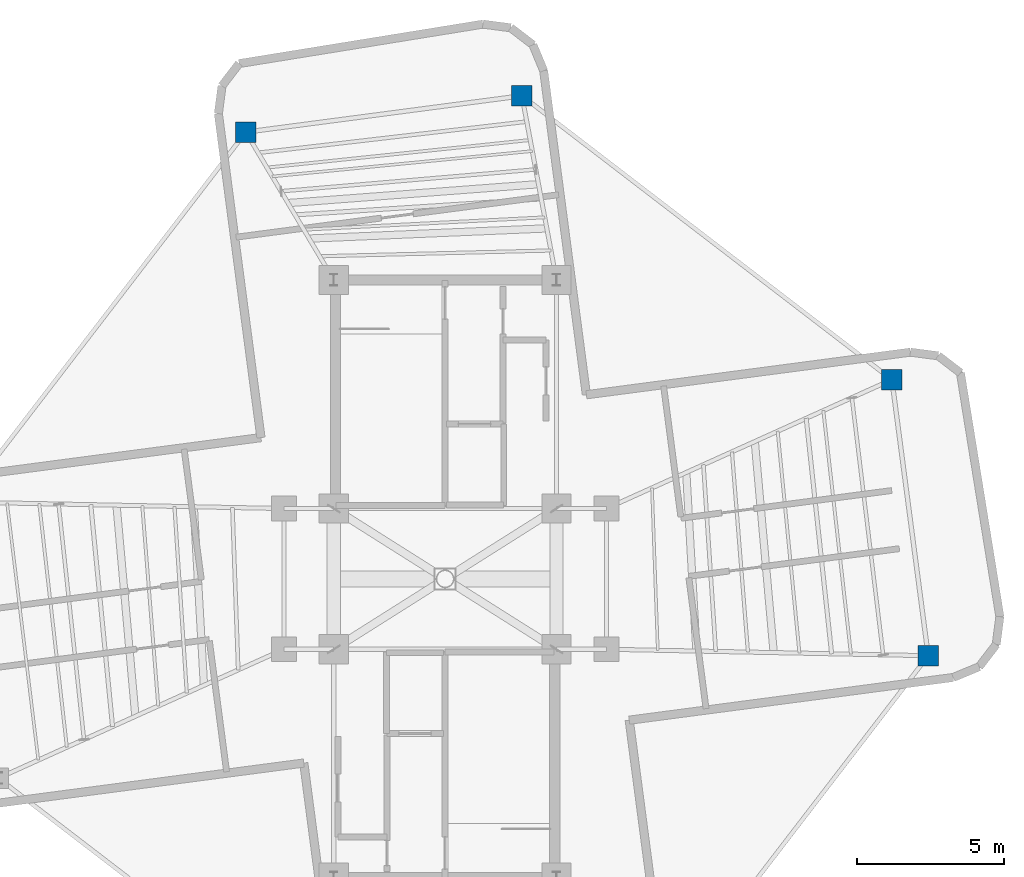
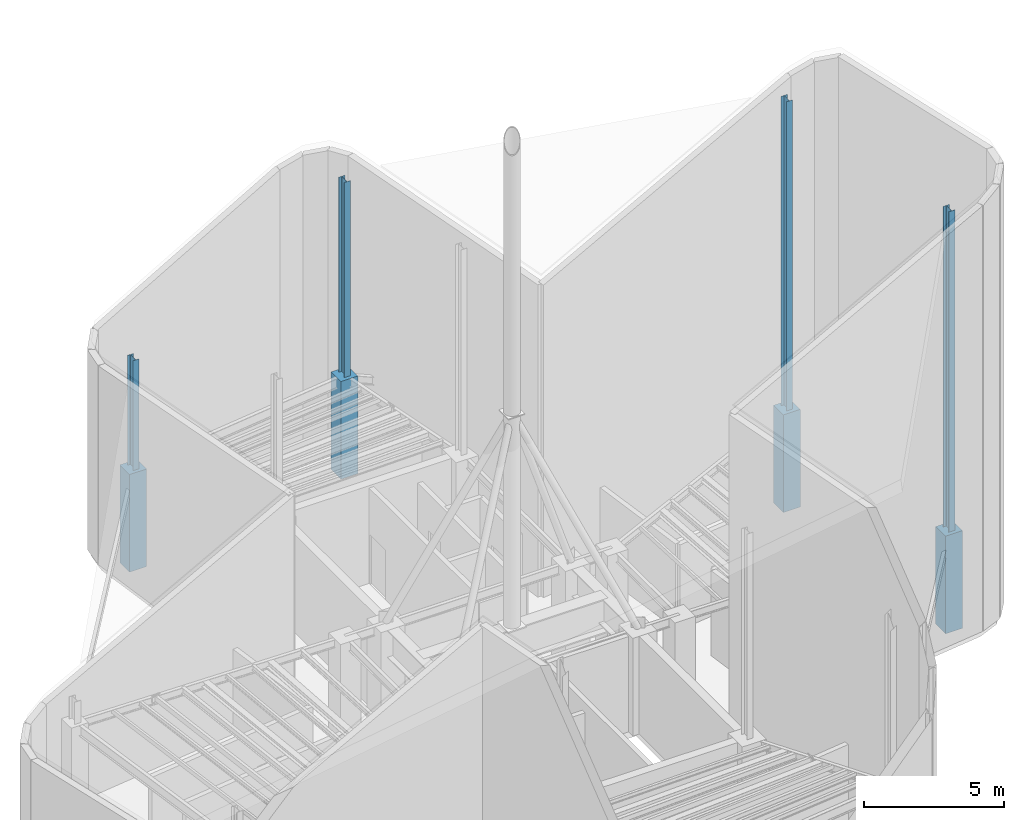
# One storey, part 2 of 8: 8 columns.
"""IFC4 building model written with IfcOpenShell, lengths in metres."""

from ifc_helpers import new_model, si_unit, direction, frame, origin, origin_2d, place, context, subcontext, project, spatial, rectangle, i_section, extrude, source, transform, mapped, material, material_profile, profile_set, type_object, element, save


model = new_model("IFC4")

# Units and contexts
model_context = context("Model", 3, precision=1e-05, world=origin(), true_north=direction((0.0, 1.0)))
body_context = subcontext(model_context, "Body", "Model", "MODEL_VIEW")
ifc_project = project(units=[si_unit("LENGTHUNIT", "METRE"), si_unit("AREAUNIT", "SQUARE_METRE"), si_unit("VOLUMEUNIT", "CUBIC_METRE"), si_unit("PLANEANGLEUNIT", "RADIAN"), si_unit("MASSUNIT", "GRAM", prefix="KILO")], contexts=[model_context])

# Site, building, storey
site_placement = place(None, origin())
site = spatial("IfcSite", under=ifc_project, at=site_placement, CompositionType="ELEMENT")
building_placement = place(site_placement, origin())
building = spatial("IfcBuilding", under=site, at=building_placement, Name="Sahyath Konkavel Grand Hotel", CompositionType="ELEMENT")
storey_placement = place(building_placement, frame((0.0, 0.0, 300.300048828125)))
storey = spatial("IfcBuildingStorey", under=building, at=storey_placement, Name="L83", CompositionType="ELEMENT", Elevation=300.300048828125)

# Columns
ifc_material_1 = material(Name="Concrete C40/50", Category="concrete")
ifc_material_profile_1 = material_profile(ifc_material_1, rectangle(XDim=0.699951171875, YDim=0.699951171875, at=origin_2d()), Name="RC 700x700")
ifc_profile_set_1 = profile_set([ifc_material_profile_1], Name="Concrete C40/50")
column_type_1 = type_object("IfcColumnType", Name="COL-RC700", PredefinedType="COLUMN", material=ifc_profile_set_1)
shared_shape_1 = source(origin(), body_context, "Body", "SweptSolid", [
    extrude(rectangle(XDim=0.699951171875, YDim=0.699951171875, at=origin_2d()), origin(), (0.0, 0.0, 1.0), 4.25),
])
for number, where, z_axis, x_axis, name in (
    (1, (16.483154296875, -2.620849609375, 0.0), (0.0, 0.0, 1.0), (1.0, 0.0, 0.0), "L83 Cruciform Wing Column WC-EA"),
    (2, (15.2431640625, 6.7978515625, 0.0), (0.0, 0.0, 1.0), (1.0, 0.0, 0.0), "L83 Cruciform Wing Column WC-EB"),
    (3, (2.620849609375, 16.483154296875, 0.0), (0.0, 0.0, 1.0), (1.0, 0.0, 0.0), "L83 Cruciform Wing Column WC-NA"),
    (4, (-6.7978515625, 15.2431640625, 0.0), (0.0, 0.0, 1.0), (1.0, 0.0, 0.0), "L83 Cruciform Wing Column WC-NB"),
):
    element("IfcColumn", number, at=place(storey_placement, frame(where, z_axis=z_axis, x_axis=x_axis)), inside=storey, type_object=column_type_1, Name=name, PredefinedType="COLUMN", context=body_context, shape_type="MappedRepresentation", body=[
        mapped(shared_shape_1, transform((0.0, 0.0, 0.0), scale=1.0)),
    ])
ifc_material_2 = material(Name="Steel E350", Category="steel")
ifc_material_profile_2 = material_profile(ifc_material_2, i_section(OverallWidth=0.25, OverallDepth=0.39990234375, WebThickness=0.0126953125, FlangeThickness=0.0126953125, FilletRadius=0.013916015625, at=origin_2d()), Name="ISHB 400")
ifc_profile_set_2 = profile_set([ifc_material_profile_2], Name="Steel E350")
column_type_2 = type_object("IfcColumnType", Name="COL-ISHB400", PredefinedType="COLUMN", material=ifc_profile_set_2)
shared_shape_2 = source(origin(), body_context, "Body", "SweptSolid", [
    extrude(i_section(OverallWidth=0.25, OverallDepth=0.39990234375, WebThickness=0.0126953125, FlangeThickness=0.0126953125, FilletRadius=0.013916015625, at=origin_2d()), origin(), (0.0, 0.0, 1.0), 13.94873046875),
])
column_1_placement = place(storey_placement, frame((16.483154296875, -2.620849609375, 4.25), z_axis=(0.0, 0.0, 1.0), x_axis=(1.0, 0.0, 0.0)))
element("IfcColumn", 5, at=column_1_placement, inside=storey, type_object=column_type_2, Name="L83 Sloped Crown Roof Support Column WG-EA", PredefinedType="COLUMN", context=body_context, shape_type="MappedRepresentation", body=[
    mapped(shared_shape_2, transform((0.0, 0.0, 0.0), scale=1.0)),
])
shared_shape_3 = source(origin(), body_context, "Body", "SweptSolid", [
    extrude(i_section(OverallWidth=0.25, OverallDepth=0.39990234375, WebThickness=0.0126953125, FlangeThickness=0.0126953125, FilletRadius=0.013916015625, at=origin_2d()), origin(), (0.0, 0.0, 1.0), 13.46044921875),
])
column_2_placement = place(storey_placement, frame((15.2431640625, 6.7978515625, 4.25), z_axis=(0.0, 0.0, 1.0), x_axis=(1.0, 0.0, 0.0)))
element("IfcColumn", 6, at=column_2_placement, inside=storey, type_object=column_type_2, Name="L83 Sloped Crown Roof Support Column WG-EB", PredefinedType="COLUMN", context=body_context, shape_type="MappedRepresentation", body=[
    mapped(shared_shape_3, transform((0.0, 0.0, 0.0), scale=1.0)),
])
shared_shape_4 = source(origin(), body_context, "Body", "SweptSolid", [
    extrude(i_section(OverallWidth=0.25, OverallDepth=0.39990234375, WebThickness=0.0126953125, FlangeThickness=0.0126953125, FilletRadius=0.013916015625, at=origin_2d()), origin(), (0.0, 0.0, 1.0), 8.488525390625),
])
column_3_placement = place(storey_placement, frame((2.620849609375, 16.483154296875, 4.25), z_axis=(0.0, 0.0, 1.0), x_axis=(1.0, 0.0, 0.0)))
element("IfcColumn", 7, at=column_3_placement, inside=storey, type_object=column_type_2, Name="L83 Sloped Crown Roof Support Column WG-NA", PredefinedType="COLUMN", context=body_context, shape_type="MappedRepresentation", body=[
    mapped(shared_shape_4, transform((0.0, 0.0, 0.0), scale=1.0)),
])
shared_shape_5 = source(origin(), body_context, "Body", "SweptSolid", [
    extrude(i_section(OverallWidth=0.25, OverallDepth=0.39990234375, WebThickness=0.0126953125, FlangeThickness=0.0126953125, FilletRadius=0.013916015625, at=origin_2d()), origin(), (0.0, 0.0, 1.0), 4.7783203125),
])
column_4_placement = place(storey_placement, frame((-6.7978515625, 15.2431640625, 4.25), z_axis=(0.0, 0.0, 1.0), x_axis=(1.0, 0.0, 0.0)))
element("IfcColumn", 8, at=column_4_placement, inside=storey, type_object=column_type_2, Name="L83 Sloped Crown Roof Support Column WG-NB", PredefinedType="COLUMN", context=body_context, shape_type="MappedRepresentation", body=[
    mapped(shared_shape_5, transform((0.0, 0.0, 0.0), scale=1.0)),
])

save(model, "model.ifc")
